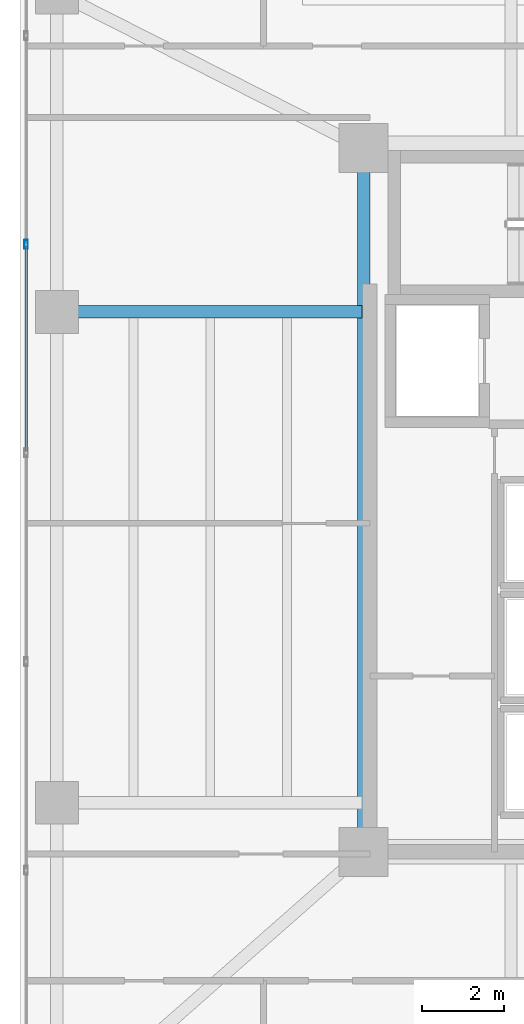
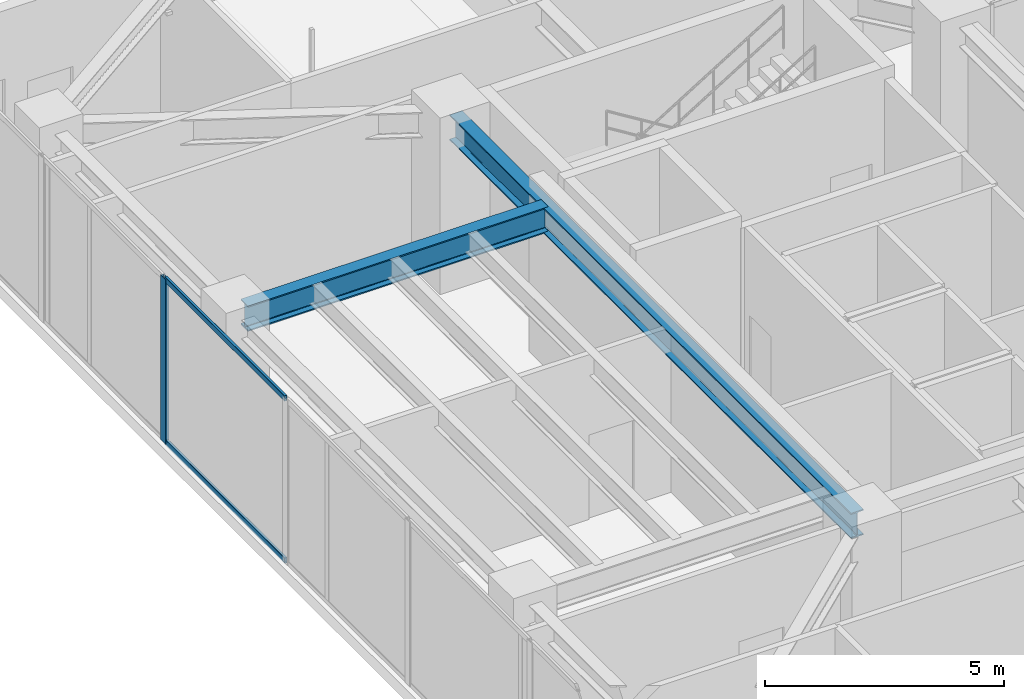
# One storey, part 10 of 37: 3 members, 2 beams, 1 element without a shape of its own.
"""IFC4 building model written with IfcOpenShell, lengths in metres."""

import ifcopenshell
import ifcopenshell.guid

model = None  # the IFC model being written
_history = None  # IfcOwnerHistory: only IFC2X3 demands one
_inside = {}  # id of a spatial element -> (the spatial element, [elements in it])
_under = {}  # id of a project, library or spatial element -> (it, [spatial elements below it])
_declared = {}  # id of a project -> (the project, [libraries it declares])
_typed = {}  # id of a type object -> (the type object, [elements of that type])
_made_of = {}  # id of a material, layer set ... -> (it, [elements and type objects made of it])


def new_model(schema):
    """Start an empty IFC model of exactly this schema.

    Asked for "IFC4X3", IfcOpenShell would pick the latest addendum, in which some entities
    have other attributes; the version numbers below select the first issue.
    IFC2X3 requires an IfcOwnerHistory on every rooted entity: one is made here for all.
    """
    global model, _history
    if schema == "IFC4X3":
        model = ifcopenshell.file(schema_version=(4, 3, 0, 0))
    else:
        model = ifcopenshell.file(schema=schema)
    _inside.clear()
    _under.clear()
    _declared.clear()
    _typed.clear()
    _made_of.clear()
    _history = None
    if model.schema == "IFC2X3":
        org = make("IfcOrganization", Name="unknown")
        user = make(
            "IfcPersonAndOrganization",
            ThePerson=make("IfcPerson", FamilyName="unknown"),
            TheOrganization=org,
        )
        app = make(
            "IfcApplication",
            ApplicationDeveloper=org,
            Version="unknown",
            ApplicationFullName="unknown",
            ApplicationIdentifier="unknown",
        )
        _history = make(
            "IfcOwnerHistory",
            OwningUser=user,
            OwningApplication=app,
            ChangeAction="ADDED",
            CreationDate=0,
        )
    return model


def make(cls, **values):
    """One entity of the class cls with the attributes given. An attribute that is None is left unset."""
    return model.create_entity(
        cls, **{name: value for name, value in values.items() if value is not None}
    )


def rooted(cls, **values):
    """An entity with a GlobalId (a new one), such as an element, a storey or a relation."""
    return make(cls, GlobalId=ifcopenshell.guid.new(), OwnerHistory=_history, **values)


def si_unit(unit_type, name, prefix=None):
    """IfcSIUnit, for example si_unit("LENGTHUNIT", "METRE", prefix="MILLI")."""
    return make("IfcSIUnit", UnitType=unit_type, Prefix=prefix, Name=name)


def assignment(units):
    """IfcUnitAssignment: the units of a project."""
    return None if units is None else make("IfcUnitAssignment", Units=units)


def point(xyz):
    """IfcCartesianPoint."""
    return None if xyz is None else make("IfcCartesianPoint", Coordinates=xyz)


def direction(xyz):
    """IfcDirection."""
    return None if xyz is None else make("IfcDirection", DirectionRatios=xyz)


def frame(location, z_axis=None, x_axis=None):
    """IfcAxis2Placement3D, a coordinate frame: its origin and axes. An axis left out is left unset."""
    return make(
        "IfcAxis2Placement3D",
        Location=point(location),
        Axis=direction(z_axis),
        RefDirection=direction(x_axis),
    )


def frame_2d(location, x_axis=None):
    """IfcAxis2Placement2D, a coordinate frame in the plane: its origin and x axis."""
    return make(
        "IfcAxis2Placement2D", Location=point(location), RefDirection=direction(x_axis)
    )


def origin():
    """The frame at (0, 0, 0) with its axes left unset."""
    return frame((0.0, 0.0, 0.0))


def origin_2d():
    """The frame at (0, 0) in the plane with its x axis left unset."""
    return frame_2d((0.0, 0.0))


def place(relative_to, where):
    """IfcLocalPlacement: puts the frame where relative to a parent placement (None: the world)."""
    return make(
        "IfcLocalPlacement", PlacementRelTo=relative_to, RelativePlacement=where
    )


def context(
    kind, dimensions, precision=None, world=None, true_north=None, identifier=None
):
    """IfcGeometricRepresentationContext, for example the 3D "Model" context."""
    return make(
        "IfcGeometricRepresentationContext",
        ContextIdentifier=identifier,
        ContextType=kind,
        CoordinateSpaceDimension=dimensions,
        Precision=precision,
        WorldCoordinateSystem=world,
        TrueNorth=true_north,
    )


def subcontext(parent, identifier, kind, view, scale=None):
    """IfcGeometricRepresentationSubContext, for example "Body" below "Model"."""
    return make(
        "IfcGeometricRepresentationSubContext",
        ContextIdentifier=identifier,
        ContextType=kind,
        ParentContext=parent,
        TargetScale=scale,
        TargetView=view,
    )


def project(units=None, contexts=None):
    """IfcProject with its units and contexts."""
    return rooted(
        "IfcProject",
        Name="project",
        RepresentationContexts=contexts,
        UnitsInContext=assignment(units),
    )


def spatial(cls, under=None, at=None, **own):
    """A site, building, storey or space (cls), placed at a placement, below another one or the project."""
    s = rooted(cls, ObjectPlacement=at, **own)
    if under is not None:
        _under.setdefault(under.id(), (under, []))[1].append(s)
    return s


def profile(cls, at=None, kind="AREA", **sizes):
    """A parametric profile (cls). Its sizes go by their IFC names, for example OverallWidth=200.0."""
    return make(cls, ProfileType=kind, Position=at, **sizes)


def hollow_rectangle(**sizes):
    """IfcRectangleHollowProfileDef."""
    return profile("IfcRectangleHollowProfileDef", **sizes)


def i_section(**sizes):
    """IfcIShapeProfileDef."""
    return profile("IfcIShapeProfileDef", **sizes)


def extrude(swept, where, along, depth):
    """IfcExtrudedAreaSolid: the profile swept, set in the frame where, extruded along a direction by depth."""
    return make(
        "IfcExtrudedAreaSolid",
        SweptArea=swept,
        Position=where,
        ExtrudedDirection=direction(along),
        Depth=depth,
    )


def shape(context_of_items, identifier, shape_type, items):
    """IfcShapeRepresentation: the items that make up one representation, for example the "Body"."""
    return make(
        "IfcShapeRepresentation",
        ContextOfItems=context_of_items,
        RepresentationIdentifier=identifier,
        RepresentationType=shape_type,
        Items=items,
    )


def material(Name=None, Category=None):
    """IfcMaterial."""
    return make("IfcMaterial", Name=Name, Category=Category)


def layer(
    of_material, thickness, ventilated=None, Name=None, Category=None, Priority=None
):
    """IfcMaterialLayer: one layer of a wall or slab, of a material (None: an air gap)."""
    return make(
        "IfcMaterialLayer",
        Material=of_material,
        LayerThickness=thickness,
        IsVentilated=ventilated,
        Name=Name,
        Category=Category,
        Priority=Priority,
    )


def layer_set(layers, Name=None):
    """IfcMaterialLayerSet."""
    return make("IfcMaterialLayerSet", MaterialLayers=layers, LayerSetName=Name)


def material_profile(
    of_material, cross_section, Name=None, Category=None, Priority=None
):
    """IfcMaterialProfile: a cross section and its material."""
    return make(
        "IfcMaterialProfile",
        Name=Name,
        Material=of_material,
        Profile=cross_section,
        Priority=Priority,
        Category=Category,
    )


def profile_set(profiles, Name=None, composite=None):
    """IfcMaterialProfileSet."""
    return make(
        "IfcMaterialProfileSet",
        Name=Name,
        MaterialProfiles=profiles,
        CompositeProfile=composite,
    )


def made_of(thing, what):
    """Note that an element or type object is made of a material, layer set ...; save() writes the relation."""
    if what is not None:
        _made_of.setdefault(what.id(), (what, []))[1].append(thing)
    return thing


def type_object(cls, material=None, **own):
    """A type object (cls), such as IfcWallType, which elements share."""
    return made_of(rooted(cls, **own), material)


def element(
    cls,
    number,
    at=None,
    inside=None,
    cuts=None,
    type_object=None,
    material=None,
    context=None,
    identifier="Body",
    shape_type=None,
    held_by="IfcProductDefinitionShape",
    body=None,
    shapes=None,
    **own,
):
    """One element of the class cls, such as IfcWall. Its Tag is "e" and its number.

    at: its placement. inside: the storey or other place that contains it. cuts: it is an
    opening in that element (IfcRelVoidsElement). A single representation is given by context,
    identifier, shape_type and body (its items); several are given by shapes. held_by: the class
    of the entity that holds the representations. save() writes the other relations.
    """
    e = rooted(cls, Tag="e%d" % number, ObjectPlacement=at, **own)
    if body is not None:
        shapes = [shape(context, identifier, shape_type, body)]
    if shapes is not None:
        e.Representation = make(held_by, Representations=shapes)
    if inside is not None:
        _inside.setdefault(inside.id(), (inside, []))[1].append(e)
    if cuts is not None:
        rooted(
            "IfcRelVoidsElement", RelatingBuildingElement=cuts, RelatedOpeningElement=e
        )
    if type_object is not None:
        _typed.setdefault(type_object.id(), (type_object, []))[1].append(e)
    return made_of(e, material)


def aggregate(whole, parts):
    """IfcRelAggregates: a whole, such as a stair, and the parts it consists of."""
    return rooted("IfcRelAggregates", RelatingObject=whole, RelatedObjects=parts)


def save(model, path):
    """Write the relations noted so far, then the file.

    IfcRelAggregates (storeys below a building ...), IfcRelContainedInSpatialStructure (elements
    in a storey), IfcRelDefinesByType, IfcRelAssociatesMaterial and IfcRelDeclares: one each for
    every whole, place, type object, material and project.
    """
    for whole, parts in _under.values():
        aggregate(whole, parts)
    for where, things in _inside.values():
        rooted(
            "IfcRelContainedInSpatialStructure",
            RelatedElements=things,
            RelatingStructure=where,
        )
    for kind, things in _typed.values():
        rooted("IfcRelDefinesByType", RelatedObjects=things, RelatingType=kind)
    for what, things in _made_of.values():
        rooted("IfcRelAssociatesMaterial", RelatedObjects=things, RelatingMaterial=what)
    for by, libraries in _declared.values():
        rooted("IfcRelDeclares", RelatingContext=by, RelatedDefinitions=libraries)
    model.write(path)


model = new_model("IFC4")

# Units and contexts
model_context = context("Model", 3, precision=1e-05, world=origin(), true_north=direction((0.0, 1.0)))
body_context = subcontext(model_context, "Body", "Model", "MODEL_VIEW")
ifc_project = project(units=[si_unit("LENGTHUNIT", "METRE"), si_unit("AREAUNIT", "SQUARE_METRE"), si_unit("VOLUMEUNIT", "CUBIC_METRE"), si_unit("PLANEANGLEUNIT", "RADIAN"), si_unit("MASSUNIT", "GRAM", prefix="KILO")], contexts=[model_context])

# Site, building, storey
site_placement = place(None, origin())
site = spatial("IfcSite", under=ifc_project, at=site_placement, CompositionType="ELEMENT")
building_placement = place(site_placement, origin())
building = spatial("IfcBuilding", under=site, at=building_placement, Name="Tarnavaz Court Tower", CompositionType="ELEMENT")
storey_placement = place(building_placement, frame((0.0, 0.0, 118.5)))
storey = spatial("IfcBuildingStorey", under=building, at=storey_placement, Name="L32", CompositionType="ELEMENT", Elevation=118.5)

# Beams
ifc_material_1 = material(Name="Steel S355", Category="steel")
ifc_material_profile_1 = material_profile(ifc_material_1, i_section(OverallWidth=0.300048828125, OverallDepth=0.64990234375, WebThickness=0.01611328125, FlangeThickness=0.031005859375, FilletRadius=0.027099609375, at=origin_2d()), Name="HEB 650")
ifc_profile_set_1 = profile_set([ifc_material_profile_1], Name="Steel S355")
beam_type = type_object("IfcBeamType", Name="BM-G-HEB650", PredefinedType="USERDEFINED", material=ifc_profile_set_1)
beam_1_placement = place(storey_placement, frame((-18.60009765625, -6.97998046875, 3.875), z_axis=(0.0, 1.0, 0.0), x_axis=(-1.0, 0.0, 0.0)))
element("IfcBeam", 1, at=beam_1_placement, inside=storey, type_object=beam_type, Name="L32 Beam IN-CW-SO-CW-NO", ObjectType="GIRDER", PredefinedType="USERDEFINED", context=body_context, shape_type="SweptSolid", body=[
    extrude(i_section(OverallWidth=0.300048828125, OverallDepth=0.64990234375, WebThickness=0.01611328125, FlangeThickness=0.031005859375, FilletRadius=0.027099609375, at=origin_2d()), origin(), (0.0, 0.0, 1.0), 16.760009765625),
])
beam_2_placement = place(storey_placement, frame((-18.639892578125, 6.0, 3.875), z_axis=(-1.0, 0.0, 0.0), x_axis=(0.0, -1.0, 0.0)))
element("IfcBeam", 2, at=beam_2_placement, inside=storey, type_object=beam_type, Name="L32 Beam RG-14", ObjectType="GIRDER", PredefinedType="USERDEFINED", context=body_context, shape_type="SweptSolid", body=[
    extrude(i_section(OverallWidth=0.300048828125, OverallDepth=0.64990234375, WebThickness=0.01611328125, FlangeThickness=0.031005859375, FilletRadius=0.027099609375, at=origin_2d()), origin(), (0.0, 0.0, 1.0), 7.239990234375),
])

# Curtain wall, members
ifc_material_2 = material(Name="Anodised Aluminium 6063-T6 and Solar Low-E Glazing", Category="aluminium")
ifc_layer = layer(ifc_material_2, 0.199951171875)
ifc_layer_set = layer_set([ifc_layer], Name="Anodised Aluminium 6063-T6 and Solar Low-E Glazing")
curtain_wall_type = type_object("IfcCurtainWallType", Name="CW-SYS-05", PredefinedType="NOTDEFINED", material=ifc_layer_set)
curtain_wall_placement = place(storey_placement, origin())
curtain_wall = element("IfcCurtainWall", 3, at=curtain_wall_placement, inside=storey, type_object=curtain_wall_type, Name="L32 Sky-Portal Curtain Wall 2", PredefinedType="NOTDEFINED")
ifc_material_3 = material(Name="Anodised Aluminium 6063-T6", Category="aluminium")
ifc_material_profile_2 = material_profile(ifc_material_3, hollow_rectangle(XDim=0.0849609375, YDim=0.219970703125, WallThickness=0.006103515625, InnerFilletRadius=0.006103515625, OuterFilletRadius=0.011962890625, at=origin_2d()), Name="ALU RHS 220X85X6")
ifc_profile_set_2 = profile_set([ifc_material_profile_2], Name="Anodised Aluminium 6063-T6")
member_type_1 = type_object("IfcMemberType", Name="CW-MUL-220", PredefinedType="MULLION", material=ifc_profile_set_2)
member_1_placement = place(storey_placement, frame((-26.85009765625, 7.64990234375, 0.0), z_axis=(0.0, 0.0, 1.0), x_axis=(-1.0, 0.0, 0.0)))
member_1 = element("IfcMember", 4, at=member_1_placement, type_object=member_type_1, Name="CW mullion 6", PredefinedType="MULLION", context=body_context, shape_type="SweptSolid", body=[
    extrude(hollow_rectangle(XDim=0.0849609375, YDim=0.219970703125, WallThickness=0.006103515625, InnerFilletRadius=0.006103515625, OuterFilletRadius=0.011962890625, at=origin_2d()), origin(), (0.0, 0.0, 1.0), 4.199951171875),
])
ifc_material_profile_3 = material_profile(ifc_material_3, hollow_rectangle(XDim=0.06494140625, YDim=0.139892578125, WallThickness=0.00390625, InnerFilletRadius=0.00390625, OuterFilletRadius=0.008056640625, at=origin_2d()), Name="ALU RHS 140X65X4")
ifc_profile_set_3 = profile_set([ifc_material_profile_3], Name="Anodised Aluminium 6063-T6")
member_type_2 = type_object("IfcMemberType", Name="CW-TRN-140", PredefinedType="USERDEFINED", material=ifc_profile_set_3)
member_2_placement = place(storey_placement, frame((-26.85009765625, 2.592529296875, 0.032470703125), z_axis=(0.0, 1.0, 0.0), x_axis=(-1.0, 0.0, 0.0)))
member_2 = element("IfcMember", 5, at=member_2_placement, type_object=member_type_2, Name="CW transom 5.1", ObjectType="TRANSOM", PredefinedType="USERDEFINED", context=body_context, shape_type="SweptSolid", body=[
    extrude(hollow_rectangle(XDim=0.06494140625, YDim=0.139892578125, WallThickness=0.00390625, InnerFilletRadius=0.00390625, OuterFilletRadius=0.008056640625, at=origin_2d()), origin(), (0.0, 0.0, 1.0), 5.014892578125),
])
member_3_placement = place(storey_placement, frame((-26.85009765625, 2.592529296875, 4.16748046875), z_axis=(0.0, 1.0, 0.0), x_axis=(-1.0, 0.0, 0.0)))
member_3 = element("IfcMember", 6, at=member_3_placement, type_object=member_type_2, Name="CW transom 5.2", ObjectType="TRANSOM", PredefinedType="USERDEFINED", context=body_context, shape_type="SweptSolid", body=[
    extrude(hollow_rectangle(XDim=0.06494140625, YDim=0.139892578125, WallThickness=0.00390625, InnerFilletRadius=0.00390625, OuterFilletRadius=0.008056640625, at=origin_2d()), origin(), (0.0, 0.0, 1.0), 5.014892578125),
])
aggregate(curtain_wall, [member_1, member_2, member_3])

save(model, "model.ifc")
